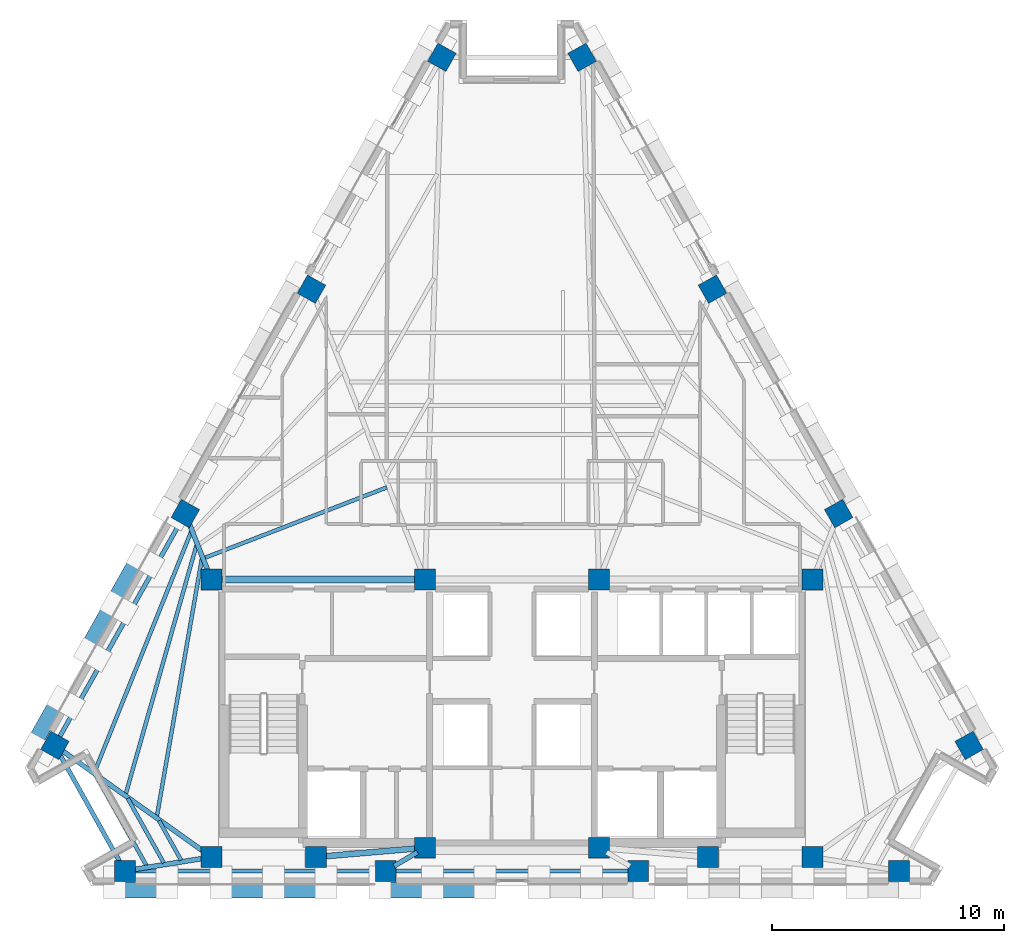
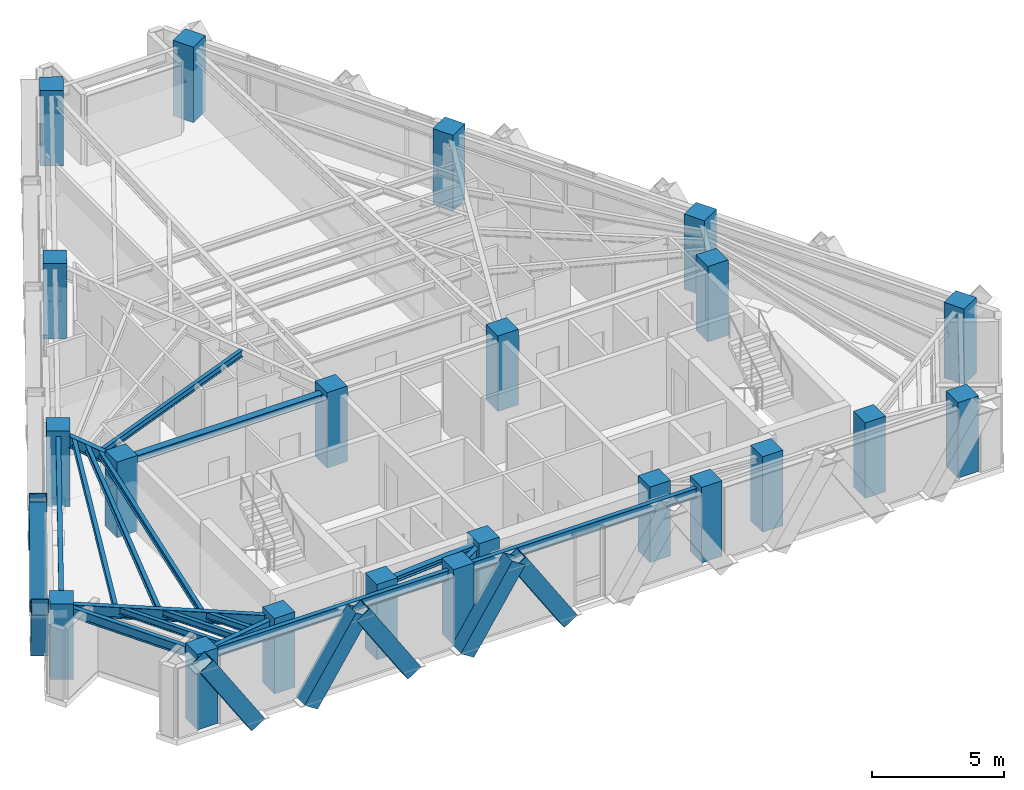
# One storey, part 1 of 12: 22 columns, 17 beams, 8 members.
"""IFC4 building model written with IfcOpenShell, lengths in metres."""

from ifc_helpers import new_model, si_unit, direction, frame, origin, origin_2d, place, context, subcontext, project, spatial, rectangle, hollow_rectangle, i_section, extrude, material, material_profile, profile_set, type_object, element, save


model = new_model("IFC4")

# Units and contexts
model_context = context("Model", 3, precision=1e-05, world=origin(), true_north=direction((0.0, 1.0)))
body_context = subcontext(model_context, "Body", "Model", "MODEL_VIEW")
ifc_project = project(units=[si_unit("LENGTHUNIT", "METRE"), si_unit("AREAUNIT", "SQUARE_METRE"), si_unit("VOLUMEUNIT", "CUBIC_METRE"), si_unit("PLANEANGLEUNIT", "RADIAN"), si_unit("MASSUNIT", "GRAM", prefix="KILO")], contexts=[model_context])

# Site, building, storey
site_placement = place(None, origin())
site = spatial("IfcSite", under=ifc_project, at=site_placement, CompositionType="ELEMENT")
building_placement = place(site_placement, origin())
building = spatial("IfcBuilding", under=site, at=building_placement, Name="Quenlor Broadcast Tower", CompositionType="ELEMENT")
storey_placement = place(building_placement, frame((0.0, 0.0, 186.89990234375)))
storey = spatial("IfcBuildingStorey", under=building, at=storey_placement, Name="L51", CompositionType="ELEMENT", Elevation=186.89990234375)

# Columns
ifc_material_1 = material(Name="Concrete C50/60", Category="concrete")
ifc_material_profile_1 = material_profile(ifc_material_1, rectangle(XDim=0.89990234375, YDim=0.89990234375, at=origin_2d()))
ifc_profile_set_1 = profile_set([ifc_material_profile_1], Name="Concrete C50/60 RC900x900")
column_type_1 = type_object("IfcColumnType", Name="Core Corner Column Upper Concrete C50/60 900", PredefinedType="COLUMN", material=ifc_profile_set_1)
for number, where, z_axis, x_axis, name in (
    (1, (-12.949951171875, -16.75, 0.0), (0.0, 0.0, 1.0), (1.0, 0.0, 0.0), "L51 Core Column CC1"),
    (2, (-8.449951171875, -16.75, 0.0), (0.0, 0.0, 1.0), (1.0, 0.0, 0.0), "L51 Core Column CC2"),
    (3, (-3.75, -16.35009765625, 0.0), (0.0, 0.0, 1.0), (1.0, 0.0, 0.0), "L51 Core Column CC3"),
    (4, (3.75, -16.35009765625, 0.0), (0.0, 0.0, 1.0), (1.0, 0.0, 0.0), "L51 Core Column CC4"),
    (5, (8.449951171875, -16.75, 0.0), (0.0, 0.0, 1.0), (1.0, 0.0, 0.0), "L51 Core Column CC5"),
    (6, (12.949951171875, -16.75, 0.0), (0.0, 0.0, 1.0), (1.0, 0.0, 0.0), "L51 Core Column CC6"),
    (7, (-12.949951171875, -4.800048828125, 0.0), (0.0, 0.0, 1.0), (1.0, 0.0, 0.0), "L51 Core Column CC7"),
    (8, (-3.75, -4.800048828125, 0.0), (0.0, 0.0, 1.0), (1.0, 0.0, 0.0), "L51 Core Column CC8"),
    (9, (3.75, -4.800048828125, 0.0), (0.0, 0.0, 1.0), (1.0, 0.0, 0.0), "L51 Core Column CC9"),
    (10, (12.949951171875, -4.800048828125, 0.0), (0.0, 0.0, 1.0), (1.0, 0.0, 0.0), "L51 Core Column CC10"),
):
    element("IfcColumn", number, at=place(storey_placement, frame(where, z_axis=z_axis, x_axis=x_axis)), inside=storey, type_object=column_type_1, Name=name, PredefinedType="COLUMN", context=body_context, shape_type="SweptSolid", body=[
        extrude(rectangle(XDim=0.89990234375, YDim=0.89990234375, at=origin_2d()), origin(), (0.0, 0.0, 1.0), 3.5),
    ])
ifc_material_2 = material(Name="Concrete C50/60", Category="concrete")
ifc_material_profile_2 = material_profile(ifc_material_2, rectangle(XDim=0.89990234375, YDim=0.89990234375, at=origin_2d()))
ifc_profile_set_2 = profile_set([ifc_material_profile_2], Name="Concrete C50/60 RC900x900")
column_type_2 = type_object("IfcColumnType", Name="Tower Perimeter Column Z4 Concrete C50/60 900", PredefinedType="COLUMN", material=ifc_profile_set_2)
for number, where, z_axis, x_axis, name in (
    (11, (-16.67578125, -17.35009765625, 0.0), (0.0, 0.0, 1.0), (0.0, 1.0, 0.0), "L51 Perimeter Column S1"),
    (12, (-5.437744140625, -17.35009765625, 0.0), (0.0, 0.0, 1.0), (0.0, 1.0, 0.0), "L51 Perimeter Column S2"),
    (13, (5.437744140625, -17.35009765625, 0.0), (0.0, 0.0, 1.0), (0.0, 1.0, 0.0), "L51 Perimeter Column S3"),
    (14, (16.67578125, -17.35009765625, 0.0), (0.0, 0.0, 1.0), (0.0, 1.0, 0.0), "L51 Perimeter Column S4"),
    (15, (19.696533203125, -11.941650390625, 0.0), (0.0, 0.0, 1.0), (0.871575139605, 0.490261946333, 0.0), "L51 Perimeter Column NE1"),
    (16, (14.077392578125, -1.952392578125, 0.0), (0.0, 0.0, 1.0), (0.871575139605, 0.490261946333, 0.0), "L51 Perimeter Column NE2"),
    (17, (8.6396484375, 7.71484375, 0.0), (0.0, 0.0, 1.0), (0.871575139605, 0.490261946333, 0.0), "L51 Perimeter Column NE3"),
    (18, (3.0205078125, 17.704345703125, 0.0), (0.0, 0.0, 1.0), (0.871575139605, 0.490261946333, 0.0), "L51 Perimeter Column NE4"),
    (19, (-3.0205078125, 17.704345703125, 0.0), (0.0, 0.0, 1.0), (-0.871575139605, 0.490261946333, 0.0), "L51 Perimeter Column NW1"),
    (20, (-8.6396484375, 7.71484375, 0.0), (0.0, 0.0, 1.0), (-0.871575139605, 0.490261946333, 0.0), "L51 Perimeter Column NW2"),
    (21, (-14.077392578125, -1.952392578125, 0.0), (0.0, 0.0, 1.0), (-0.871575139605, 0.490261946333, 0.0), "L51 Perimeter Column NW3"),
    (22, (-19.696533203125, -11.941650390625, 0.0), (0.0, 0.0, 1.0), (-0.871575139605, 0.490261946333, 0.0), "L51 Perimeter Column NW4"),
):
    element("IfcColumn", number, at=place(storey_placement, frame(where, z_axis=z_axis, x_axis=x_axis)), inside=storey, type_object=column_type_2, Name=name, PredefinedType="COLUMN", context=body_context, shape_type="SweptSolid", body=[
        extrude(rectangle(XDim=0.89990234375, YDim=0.89990234375, at=origin_2d()), origin(), (0.0, 0.0, 1.0), 3.5),
    ])

# Beams
ifc_material_3 = material(Name="Steel S355", Category="steel")
ifc_material_profile_3 = material_profile(ifc_material_3, i_section(OverallWidth=0.25390625, OverallDepth=0.25390625, WebThickness=0.008544921875, FlangeThickness=0.01416015625, FilletRadius=0.013916015625, at=origin_2d()))
ifc_profile_set_3 = profile_set([ifc_material_profile_3], Name="Steel S355 250UC72.9")
beam_type_1 = type_object("IfcBeamType", Name="Core Opening Lintel Beam Steel S355 250UC72.9", PredefinedType="LINTEL", material=ifc_profile_set_3)
beam_1_placement = place(storey_placement, frame((-8.09130859375, -16.719482421875, 3.123291015625), z_axis=(0.996399763903, 0.084779186679, 0.0), x_axis=(-0.084779186679, 0.996399763903, 0.0)))
element("IfcBeam", 23, at=beam_1_placement, inside=storey, type_object=beam_type_1, Name="L51 Core Opening Lintel Beam 4", PredefinedType="LINTEL", context=body_context, shape_type="SweptSolid", body=[
    extrude(i_section(OverallWidth=0.25390625, OverallDepth=0.25390625, WebThickness=0.008544921875, FlangeThickness=0.01416015625, FilletRadius=0.013916015625, at=origin_2d()), origin(), (0.0, 0.0, 1.0), 3.9970703125),
])
ifc_material_4 = material(Name="Steel S355", Category="steel")
ifc_material_profile_4 = material_profile(ifc_material_4, i_section(OverallWidth=0.306884765625, OverallDepth=0.314697265625, WebThickness=0.011962890625, FlangeThickness=0.018798828125, FilletRadius=0.0166015625, at=origin_2d()))
ifc_profile_set_4 = profile_set([ifc_material_profile_4], Name="Steel S355 310UC118")
beam_type_2 = type_object("IfcBeamType", Name="Core Tie Beam Steel S355 310UC118", PredefinedType="BEAM", material=ifc_profile_set_4)
beam_2_placement = place(storey_placement, frame((-12.590087890625, -4.800048828125, 3.0927734375), z_axis=(1.0, 0.0, 0.0), x_axis=(0.0, 1.0, 0.0)))
element("IfcBeam", 24, at=beam_2_placement, inside=storey, type_object=beam_type_2, Name="L51 Core Tie Beam 1", PredefinedType="BEAM", context=body_context, shape_type="SweptSolid", body=[
    extrude(i_section(OverallWidth=0.306884765625, OverallDepth=0.314697265625, WebThickness=0.011962890625, FlangeThickness=0.018798828125, FilletRadius=0.0166015625, at=origin_2d()), origin(), (0.0, 0.0, 1.0), 8.47998046875),
])

# Members
ifc_material_5 = material(Name="Steel S355", Category="steel")
ifc_material_profile_5 = material_profile(ifc_material_5, hollow_rectangle(XDim=0.679931640625, YDim=0.679931640625, WallThickness=0.02490234375, at=origin_2d()))
ifc_profile_set_5 = profile_set([ifc_material_profile_5], Name="Steel S355 RHS680x680x25")
member_type = type_object("IfcMemberType", Name="Perimeter Diagonal Lattice Brace Z3-Z4 Steel S355 RHS680x25", PredefinedType="BRACE", material=ifc_profile_set_5)
for number, where, z_axis, x_axis, name in (
    (25, (-1.155517578125, -18.169921875, -0.119873046875), (-0.541794306908, 0.0, 0.840511111766), (0.0, -1.0, 0.0), "L51 Perimeter Diamond Lattice S-C3S"),
    (26, (-8.005859375, -18.169921875, -0.119873046875), (-0.541794306908, 0.0, 0.840511111766), (0.0, -1.0, 0.0), "L51 Perimeter Diamond Lattice S-C4S"),
    (27, (-5.695068359375, -18.169921875, -0.119873046875), (0.541794306908, 0.0, 0.840511111766), (0.0, 1.0, 0.0), "L51 Perimeter Diamond Lattice S-C4B"),
    (28, (-14.856201171875, -18.169921875, -0.119873046875), (-0.541794306908, 0.0, 0.840511111766), (0.0, -1.0, 0.0), "L51 Perimeter Diamond Lattice S-C5S"),
    (29, (-12.54541015625, -18.169921875, -0.119873046875), (0.541794306908, 0.0, 0.840511111766), (0.0, 1.0, 0.0), "L51 Perimeter Diamond Lattice S-C5B"),
):
    element("IfcMember", number, at=place(storey_placement, frame(where, z_axis=z_axis, x_axis=x_axis)), inside=storey, type_object=member_type, Name=name, PredefinedType="BRACE", context=body_context, shape_type="SweptSolid", body=[
        extrude(hollow_rectangle(XDim=0.679931640625, YDim=0.679931640625, WallThickness=0.02490234375, at=origin_2d()), origin(), (0.0, 0.0, 1.0), 4.1640625),
    ])
member_placement = place(storey_placement, frame((-18.35302734375, -7.880859375, -0.119873046875), z_axis=(0.269539530269, 0.479181387144, 0.835304519224), x_axis=(-0.871575537125, 0.490261239633, 0.0)))
element("IfcMember", 30, at=member_placement, inside=storey, type_object=member_type, Name="L51 Perimeter Diamond Lattice NW-C1S", PredefinedType="BRACE", context=body_context, shape_type="SweptSolid", body=[
    extrude(hollow_rectangle(XDim=0.679931640625, YDim=0.679931640625, WallThickness=0.02490234375, at=origin_2d()), origin(), (0.0, 0.0, 1.0), 4.190185546875),
])
for number, where, z_axis, x_axis, name in (
    (31, (-19.509765625, -9.937255859375, -0.119873046875), (-0.269547055694, -0.479136497832, 0.835327840559), (0.871550060774, -0.49030652817, 0.0), "L51 Perimeter Diamond Lattice NW-C1B"),
    (32, (-16.08056640625, -3.841064453125, -0.119873046875), (-0.269547055694, -0.479136497832, 0.835327840559), (0.871550060774, -0.49030652817, 0.0), "L51 Perimeter Diamond Lattice NW-C2B"),
):
    element("IfcMember", number, at=place(storey_placement, frame(where, z_axis=z_axis, x_axis=x_axis)), inside=storey, type_object=member_type, Name=name, PredefinedType="BRACE", context=body_context, shape_type="SweptSolid", body=[
        extrude(hollow_rectangle(XDim=0.679931640625, YDim=0.679931640625, WallThickness=0.02490234375, at=origin_2d()), origin(), (0.0, 0.0, 1.0), 4.18994140625),
    ])

# Beams
ifc_material_6 = material(Name="Steel S355", Category="steel")
ifc_material_profile_6 = material_profile(ifc_material_6, i_section(OverallWidth=0.18994140625, OverallDepth=0.453857421875, WebThickness=0.008544921875, FlangeThickness=0.0126953125, FilletRadius=0.011474609375, at=origin_2d()))
ifc_profile_set_6 = profile_set([ifc_material_profile_6], Name="Steel S355 460UB67.1")
beam_type_3 = type_object("IfcBeamType", Name="Perimeter Spandrel Beam Z4 Steel S355 460UB67.1", PredefinedType="SPANDREL", material=ifc_profile_set_6)
beam_3_placement = place(storey_placement, frame((-16.265869140625, -17.35009765625, 3.023193359375), z_axis=(1.0, 0.0, 0.0), x_axis=(0.0, 1.0, 0.0)))
element("IfcBeam", 33, at=beam_3_placement, inside=storey, type_object=beam_type_3, Name="L51 Spandrel Beam S1-S2", PredefinedType="SPANDREL", context=body_context, shape_type="SweptSolid", body=[
    extrude(i_section(OverallWidth=0.18994140625, OverallDepth=0.453857421875, WebThickness=0.008544921875, FlangeThickness=0.0126953125, FilletRadius=0.011474609375, at=origin_2d()), origin(), (0.0, 0.0, 1.0), 10.41796875),
])
beam_4_placement = place(storey_placement, frame((-5.02783203125, -17.35009765625, 3.023193359375), z_axis=(1.0, 0.0, 0.0), x_axis=(0.0, 1.0, 0.0)))
element("IfcBeam", 34, at=beam_4_placement, inside=storey, type_object=beam_type_3, Name="L51 Spandrel Beam S2-S3", PredefinedType="SPANDREL", context=body_context, shape_type="SweptSolid", body=[
    extrude(i_section(OverallWidth=0.18994140625, OverallDepth=0.453857421875, WebThickness=0.008544921875, FlangeThickness=0.0126953125, FilletRadius=0.011474609375, at=origin_2d()), origin(), (0.0, 0.0, 1.0), 10.0556640625),
])
beam_5_placement = place(storey_placement, frame((-14.2783203125, -2.3095703125, 3.023193359375), z_axis=(-0.490272131974, -0.871569410093, 0.0), x_axis=(0.871569410093, -0.490272131974, 0.0)))
element("IfcBeam", 35, at=beam_5_placement, inside=storey, type_object=beam_type_3, Name="L51 Spandrel Beam NW3-NW4", PredefinedType="SPANDREL", context=body_context, shape_type="SweptSolid", body=[
    extrude(i_section(OverallWidth=0.18994140625, OverallDepth=0.453857421875, WebThickness=0.008544921875, FlangeThickness=0.0126953125, FilletRadius=0.011474609375, at=origin_2d()), origin(), (0.0, 0.0, 1.0), 10.6416015625),
])
beam_6_placement = place(storey_placement, frame((-19.49658203125, -12.2998046875, 3.023193359375), z_axis=(0.487647250206, -0.8730407547, 0.0), x_axis=(0.8730407547, 0.487647250206, 0.0)))
element("IfcBeam", 36, at=beam_6_placement, inside=storey, type_object=beam_type_3, Name="L51 Spandrel Beam NW4-S1", PredefinedType="SPANDREL", context=body_context, shape_type="SweptSolid", body=[
    extrude(i_section(OverallWidth=0.18994140625, OverallDepth=0.453857421875, WebThickness=0.008544921875, FlangeThickness=0.0126953125, FilletRadius=0.011474609375, at=origin_2d()), origin(), (0.0, 0.0, 1.0), 5.37451171875),
])
ifc_material_7 = material(Name="Steel S355", Category="steel")
ifc_material_profile_7 = material_profile(ifc_material_7, i_section(OverallWidth=0.166015625, OverallDepth=0.30712890625, WebThickness=0.006591796875, FlangeThickness=0.01171875, FilletRadius=0.011474609375, at=origin_2d()))
ifc_profile_set_7 = profile_set([ifc_material_profile_7], Name="Steel S355 310UB46.2")
beam_type_4 = type_object("IfcBeamType", Name="Tower Composite Joist Z4-Z5 Steel S355 310UB46.2", PredefinedType="JOIST", material=ifc_profile_set_7)
beam_7_placement = place(storey_placement, frame((-13.236083984375, -3.85986328125, 3.096435546875), z_axis=(0.932639299023, 0.360810113381, 0.0), x_axis=(-0.360810113381, 0.932639299023, 0.0)))
element("IfcBeam", 37, at=beam_7_placement, inside=storey, type_object=beam_type_4, Name="L51 Secondary Composite Joist 7", PredefinedType="JOIST", context=body_context, shape_type="SweptSolid", body=[
    extrude(i_section(OverallWidth=0.166015625, OverallDepth=0.30712890625, WebThickness=0.006591796875, FlangeThickness=0.01171875, FilletRadius=0.011474609375, at=origin_2d()), origin(), (0.0, 0.0, 1.0), 8.413330078125),
])
beam_8_placement = place(storey_placement, frame((-15.297607421875, -14.98828125, 3.096435546875), z_axis=(0.172003691938, 0.985096304916, 0.0), x_axis=(-0.985096304916, 0.172003691938, 0.0)))
element("IfcBeam", 38, at=beam_8_placement, inside=storey, type_object=beam_type_4, Name="L51 Secondary Composite Joist 13", PredefinedType="JOIST", context=body_context, shape_type="SweptSolid", body=[
    extrude(i_section(OverallWidth=0.166015625, OverallDepth=0.30712890625, WebThickness=0.006591796875, FlangeThickness=0.01171875, FilletRadius=0.011474609375, at=origin_2d()), origin(), (0.0, 0.0, 1.0), 11.274169921875),
])
beam_9_placement = place(storey_placement, frame((-16.638671875, -14.028564453125, 3.096435546875), z_axis=(0.273447576454, 0.961886907558, 0.0), x_axis=(-0.961886907558, 0.273447576454, 0.0)))
element("IfcBeam", 39, at=beam_9_placement, inside=storey, type_object=beam_type_4, Name="L51 Secondary Composite Joist 14", PredefinedType="JOIST", context=body_context, shape_type="SweptSolid", body=[
    extrude(i_section(OverallWidth=0.166015625, OverallDepth=0.30712890625, WebThickness=0.006591796875, FlangeThickness=0.01171875, FilletRadius=0.011474609375, at=origin_2d()), origin(), (0.0, 0.0, 1.0), 11.142333984375),
])
beam_10_placement = place(storey_placement, frame((-17.97998046875, -13.069580078125, 3.096435546875), z_axis=(0.373094895103, 0.927793187757, 0.0), x_axis=(-0.927793187757, 0.373094895103, 0.0)))
element("IfcBeam", 40, at=beam_10_placement, inside=storey, type_object=beam_type_4, Name="L51 Secondary Composite Joist 15", PredefinedType="JOIST", context=body_context, shape_type="SweptSolid", body=[
    extrude(i_section(OverallWidth=0.166015625, OverallDepth=0.30712890625, WebThickness=0.006591796875, FlangeThickness=0.01171875, FilletRadius=0.011474609375, at=origin_2d()), origin(), (0.0, 0.0, 1.0), 11.13525390625),
])
beam_11_placement = place(storey_placement, frame((-14.255859375, -16.88427734375, 3.096435546875), z_axis=(-0.487590799665, 0.873072283423, 0.0), x_axis=(-0.873072283423, -0.487590799665, 0.0)))
element("IfcBeam", 41, at=beam_11_placement, inside=storey, type_object=beam_type_4, Name="L51 Secondary Composite Joist 19", PredefinedType="JOIST", context=body_context, shape_type="SweptSolid", body=[
    extrude(i_section(OverallWidth=0.166015625, OverallDepth=0.30712890625, WebThickness=0.006591796875, FlangeThickness=0.01171875, FilletRadius=0.011474609375, at=origin_2d()), origin(), (0.0, 0.0, 1.0), 1.9462890625),
])
beam_12_placement = place(storey_placement, frame((-15.0009765625, -17.004150390625, 3.096435546875), z_axis=(-0.487646119388, 0.87304138633, 0.0), x_axis=(-0.87304138633, -0.487646119388, 0.0)))
element("IfcBeam", 42, at=beam_12_placement, inside=storey, type_object=beam_type_4, Name="L51 Secondary Composite Joist 20", PredefinedType="JOIST", context=body_context, shape_type="SweptSolid", body=[
    extrude(i_section(OverallWidth=0.166015625, OverallDepth=0.30712890625, WebThickness=0.006591796875, FlangeThickness=0.01171875, FilletRadius=0.011474609375, at=origin_2d()), origin(), (0.0, 0.0, 1.0), 3.18505859375),
])
beam_13_placement = place(storey_placement, frame((-15.74609375, -17.124267578125, 3.096435546875), z_axis=(-0.487604899573, 0.873064408799, 0.0), x_axis=(-0.873064408799, -0.487604899573, 0.0)))
element("IfcBeam", 43, at=beam_13_placement, inside=storey, type_object=beam_type_4, Name="L51 Secondary Composite Joist 21", PredefinedType="JOIST", context=body_context, shape_type="SweptSolid", body=[
    extrude(i_section(OverallWidth=0.166015625, OverallDepth=0.30712890625, WebThickness=0.006591796875, FlangeThickness=0.01171875, FilletRadius=0.011474609375, at=origin_2d()), origin(), (0.0, 0.0, 1.0), 4.424072265625),
])
ifc_material_8 = material(Name="Steel S355", Category="steel")
ifc_material_profile_8 = material_profile(ifc_material_8, i_section(OverallWidth=0.208984375, OverallDepth=0.5283203125, WebThickness=0.009521484375, FlangeThickness=0.01318359375, FilletRadius=0.013916015625, at=origin_2d()))
ifc_profile_set_8 = profile_set([ifc_material_profile_8], Name="Steel S355 530UB82.0")
beam_type_5 = type_object("IfcBeamType", Name="Tower Primary Floor Beam Z4 Steel S355 530UB82.0", PredefinedType="BEAM", material=ifc_profile_set_8)
beam_14_placement = place(storey_placement, frame((-16.27099609375, -17.284912109375, 2.986083984375), z_axis=(0.987268490875, 0.159062650942, 0.0), x_axis=(-0.159062650942, 0.987268490875, 0.0)))
element("IfcBeam", 44, at=beam_14_placement, inside=storey, type_object=beam_type_5, Name="L51 Primary Radial Beam S1", PredefinedType="BEAM", context=body_context, shape_type="SweptSolid", body=[
    extrude(i_section(OverallWidth=0.208984375, OverallDepth=0.5283203125, WebThickness=0.009521484375, FlangeThickness=0.01318359375, FilletRadius=0.013916015625, at=origin_2d()), origin(), (0.0, 0.0, 1.0), 2.98388671875),
])
beam_15_placement = place(storey_placement, frame((-5.085205078125, -17.14111328125, 2.986083984375), z_axis=(0.86032875258, 0.509739578102, 0.0), x_axis=(-0.509739578102, 0.86032875258, 0.0)))
element("IfcBeam", 45, at=beam_15_placement, inside=storey, type_object=beam_type_5, Name="L51 Primary Radial Beam S2", PredefinedType="BEAM", context=body_context, shape_type="SweptSolid", body=[
    extrude(i_section(OverallWidth=0.208984375, OverallDepth=0.5283203125, WebThickness=0.009521484375, FlangeThickness=0.01318359375, FilletRadius=0.013916015625, at=origin_2d()), origin(), (0.0, 0.0, 1.0), 1.171875),
])
beam_16_placement = place(storey_placement, frame((-13.926513671875, -2.33349609375, 2.986083984375), z_axis=(0.368110359783, -0.92978210513, 0.0), x_axis=(0.92978210513, 0.368110359783, 0.0)))
element("IfcBeam", 46, at=beam_16_placement, inside=storey, type_object=beam_type_5, Name="L51 Primary Radial Beam NW3", PredefinedType="BEAM", context=body_context, shape_type="SweptSolid", body=[
    extrude(i_section(OverallWidth=0.208984375, OverallDepth=0.5283203125, WebThickness=0.009521484375, FlangeThickness=0.01318359375, FilletRadius=0.013916015625, at=origin_2d()), origin(), (0.0, 0.0, 1.0), 2.27294921875),
])
beam_17_placement = place(storey_placement, frame((-19.362548828125, -12.1796875, 2.986083984375), z_axis=(0.814329531787, -0.580402802938, 0.0), x_axis=(0.580402802938, 0.814329531787, 0.0)))
element("IfcBeam", 47, at=beam_17_placement, inside=storey, type_object=beam_type_5, Name="L51 Primary Radial Beam NW4", PredefinedType="BEAM", context=body_context, shape_type="SweptSolid", body=[
    extrude(i_section(OverallWidth=0.208984375, OverallDepth=0.5283203125, WebThickness=0.009521484375, FlangeThickness=0.01318359375, FilletRadius=0.013916015625, at=origin_2d()), origin(), (0.0, 0.0, 1.0), 7.49462890625),
])

save(model, "model.ifc")
